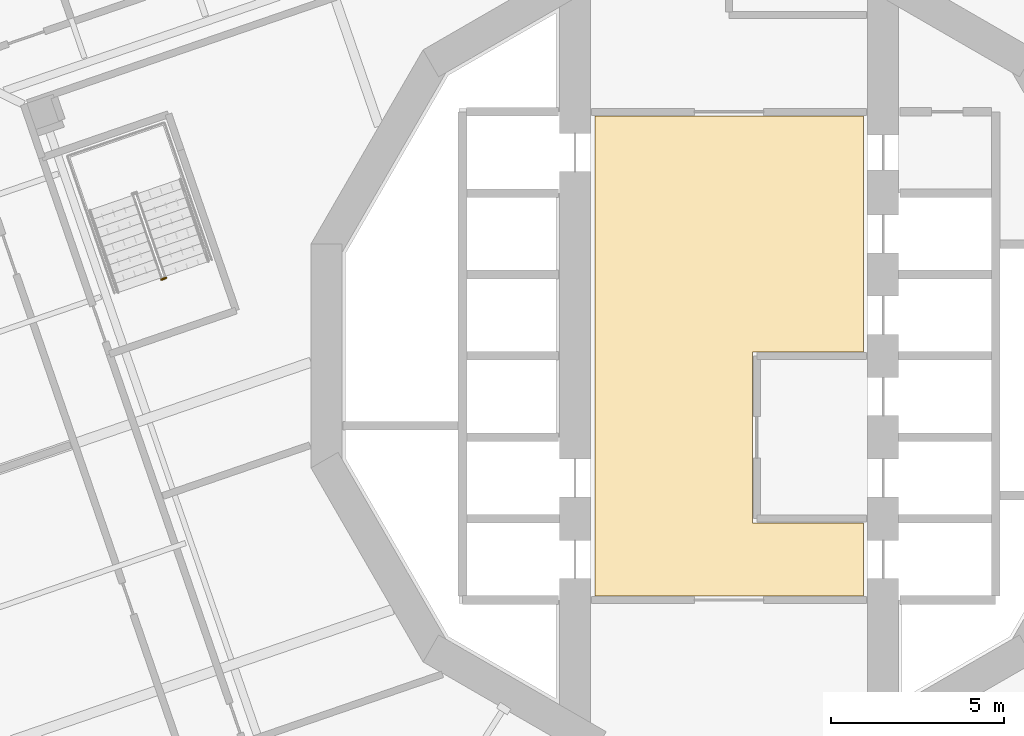
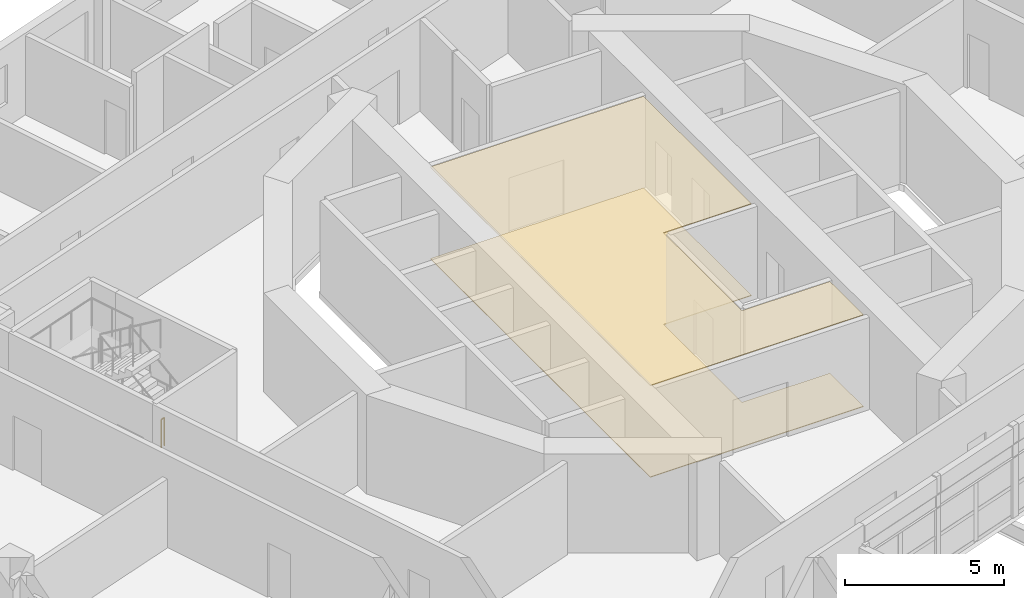
# One storey, part 17 of 22: 2 coverings, 1 railing.
"""IFC4 building model written with IfcOpenShell, lengths in metres."""

from ifc_helpers import new_model, si_unit, direction, frame, origin, origin_2d, place, context, subcontext, project, spatial, polyline, circle, outline, extrude, material, layer, layer_set, type_object, element, save


model = new_model("IFC4")

# Units and contexts
model_context = context("Model", 3, precision=1e-05, world=origin(), true_north=direction((0.0, 1.0)))
body_context = subcontext(model_context, "Body", "Model", "MODEL_VIEW")
ifc_project = project(units=[si_unit("LENGTHUNIT", "METRE"), si_unit("AREAUNIT", "SQUARE_METRE"), si_unit("VOLUMEUNIT", "CUBIC_METRE"), si_unit("PLANEANGLEUNIT", "RADIAN"), si_unit("MASSUNIT", "GRAM", prefix="KILO")], contexts=[model_context])

# Site, building, storey
site_placement = place(None, origin())
site = spatial("IfcSite", under=ifc_project, at=site_placement, CompositionType="ELEMENT")
building_placement = place(site_placement, origin())
building = spatial("IfcBuilding", under=site, at=building_placement, Name="Cantera Rosa Tower", CompositionType="ELEMENT")
storey_placement = place(building_placement, frame((0.0, 0.0, 107.89990234375)))
storey = spatial("IfcBuildingStorey", under=building, at=storey_placement, Name="L21", CompositionType="ELEMENT", Elevation=107.89990234375)

# Railing
ifc_material_1 = material(Name="Steel S355J2 (EN 10025-2)", Category="steel")
railing_type = type_object("IfcRailingType", Name="STAIR GUARD 1100", PredefinedType="GUARDRAIL", material=ifc_material_1)
railing_placement = place(storey_placement, frame((-16.257080078125, 2.25341796875, 0.0)))
element("IfcRailing", 1, at=railing_placement, inside=storey, type_object=railing_type, Name="L21 ST-22 stair guard 3", PredefinedType="GUARDRAIL", context=body_context, shape_type="SweptSolid", body=[
    extrude(circle(Radius=0.02392578125, at=origin_2d()), frame((0.0, 0.0, 1.076171875), z_axis=(-0.945545797087, -0.325489086777, 0.0), x_axis=(0.325489086777, -0.945545797087, 0.0)), (0.0, 0.0, 1.0), 0.14990234375),
    extrude(circle(Radius=0.02099609375, at=origin_2d()), origin(), (0.0, 0.0, 1.0), 1.052001953125),
    extrude(circle(Radius=0.02099609375, at=origin_2d()), frame((-0.141845703125, -0.048828125, 0.0)), (0.0, 0.0, 1.0), 1.052001953125),
])

# Coverings
ifc_material_2 = material(Name="Limestone paving", Category="masonry")
ifc_layer_1 = layer(ifc_material_2, 0.02490234375)
ifc_layer_set_1 = layer_set([ifc_layer_1], Name="STONE FLOOR FINISH 25")
covering_type_1 = type_object("IfcCoveringType", Name="STONE FLOOR FINISH 25", PredefinedType="FLOORING", material=ifc_layer_set_1)
covering_1_placement = place(storey_placement, origin())
element("IfcCovering", 2, at=covering_1_placement, inside=storey, type_object=covering_type_1, Name="STONE FLOOR FINISH L21", PredefinedType="FLOORING", context=body_context, shape_type="SweptSolid", body=[
    extrude(outline(polyline([(3.8798828125, 6.929931640625), (3.8798828125, 0.1201171875), (0.679931640625, 0.1201171875), (0.679931640625, -4.820068359375), (3.8798828125, -4.820068359375), (3.8798828125, -6.929931640625), (-3.8798828125, -6.929931640625), (-3.8798828125, 6.929931640625), (3.8798828125, 6.929931640625)])), origin(), (0.0, 0.0, 1.0), 0.025146484375),
])
ifc_material_3 = material(Name="Gypsum ceiling tile")
ifc_layer_2 = layer(ifc_material_3, 0.030029296875)
ifc_layer_set_2 = layer_set([ifc_layer_2], Name="SUSPENDED CEILING 30")
covering_type_2 = type_object("IfcCoveringType", Name="SUSPENDED CEILING 30", PredefinedType="CEILING", material=ifc_layer_set_2)
covering_2_placement = place(storey_placement, frame((0.0, 0.0, 3.52001953125)))
element("IfcCovering", 3, at=covering_2_placement, inside=storey, type_object=covering_type_2, Name="SUSPENDED CEILING L21", PredefinedType="CEILING", context=body_context, shape_type="SweptSolid", body=[
    extrude(outline(polyline([(3.8798828125, 6.929931640625), (3.8798828125, 0.1201171875), (0.679931640625, 0.1201171875), (0.679931640625, -4.820068359375), (3.8798828125, -4.820068359375), (3.8798828125, -6.929931640625), (-3.8798828125, -6.929931640625), (-3.8798828125, 6.929931640625), (3.8798828125, 6.929931640625)])), origin(), (0.0, 0.0, 1.0), 0.030029296875),
])

save(model, "model.ifc")
